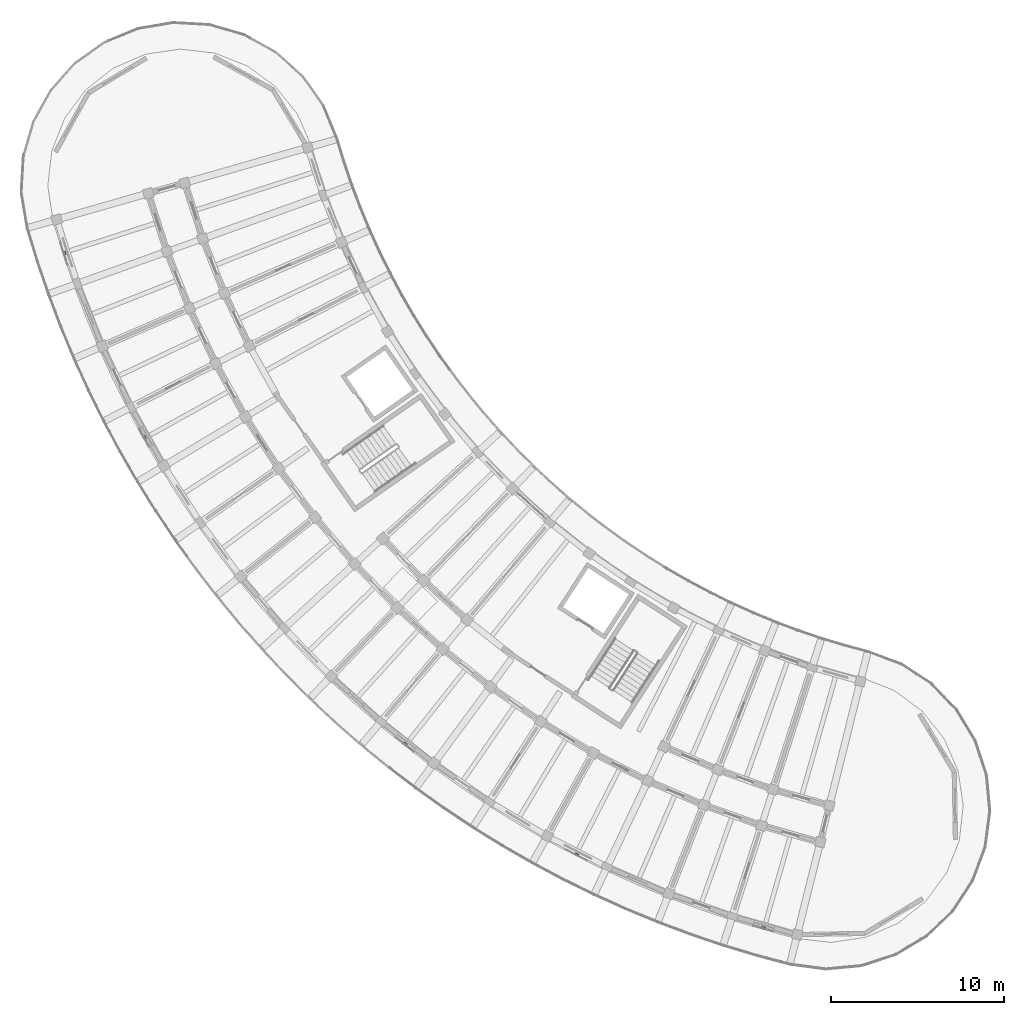
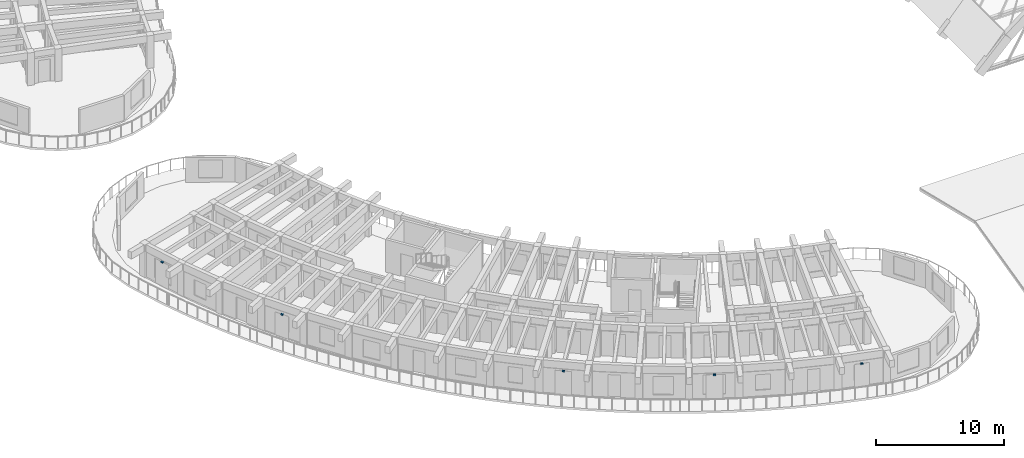
# One storey, part 61 of 81: 5 discrete accessories.
"""IFC4 building model written with IfcOpenShell, lengths in metres."""

from ifc_helpers import new_model, si_unit, direction, frame, origin, origin_2d, place, context, subcontext, project, spatial, rectangle, extrude, material, type_object, element, save


model = new_model("IFC4")

# Units and contexts
model_context = context("Model", 3, precision=1e-05, world=origin(), true_north=direction((0.0, 1.0)))
body_context = subcontext(model_context, "Body", "Model", "MODEL_VIEW")
ifc_project = project(units=[si_unit("LENGTHUNIT", "METRE"), si_unit("AREAUNIT", "SQUARE_METRE"), si_unit("VOLUMEUNIT", "CUBIC_METRE"), si_unit("PLANEANGLEUNIT", "RADIAN"), si_unit("MASSUNIT", "GRAM", prefix="KILO")], contexts=[model_context])

# Site, building, storey
site_placement = place(None, origin())
site = spatial("IfcSite", under=ifc_project, at=site_placement, CompositionType="ELEMENT")
building_placement = place(site_placement, origin())
building = spatial("IfcBuilding", under=site, at=building_placement, Name="Tanwirah Colonnade Gardens", CompositionType="ELEMENT")
storey_placement = place(building_placement, frame((0.0, 0.0, 8.840087890625)))
storey = spatial("IfcBuildingStorey", under=building, at=storey_placement, Name="L02", CompositionType="ELEMENT", Elevation=8.840087890625)

# Discrete accessories
ifc_material = material(Name="Steel S355", Category="steel")
discrete_accessory_type = type_object("IfcDiscreteAccessoryType", Name="BRK-SS1", PredefinedType="BRACKET", material=ifc_material)
for number, where, z_axis, x_axis, name in (
    (1, (8.20458984375, 46.1357421875, 2.199951171875), (0.0, 0.0, 1.0), (0.30694295016, -0.951727915608, 0.0), "Solar screen support bracket C-L02-00"),
    (2, (12.834716796875, 35.48681640625, 2.059814453125), (0.0, 0.0, 1.0), (0.486717384336, -0.873559492985, 0.0), "Solar screen support bracket C-L02-03"),
    (3, (27.908447265625, 17.732666015625, 2.14990234375), (0.0, 0.0, 1.0), (0.783964634348, -0.620805486519, 0.0), "Solar screen support bracket C-L02-09"),
    (4, (37.8251953125, 11.35400390625, 2.199951171875), (0.0, 0.0, 1.0), (0.890014924435, -0.455931392078, 0.0), "Solar screen support bracket C-L02-12"),
    (5, (48.62890625, 7.09814453125, 2.059814453125), (0.0, 0.0, 1.0), (0.961860770803, -0.273539499139, 0.0), "Solar screen support bracket C-L02-15"),
):
    element("IfcDiscreteAccessory", number, at=place(storey_placement, frame(where, z_axis=z_axis, x_axis=x_axis)), inside=storey, type_object=discrete_accessory_type, Name=name, PredefinedType="BRACKET", context=body_context, shape_type="SweptSolid", body=[
        extrude(rectangle(XDim=0.219970703125, YDim=0.159912109375, at=origin_2d()), origin(), (0.0, 0.0, 1.0), 0.1201171875),
    ])

save(model, "model.ifc")
